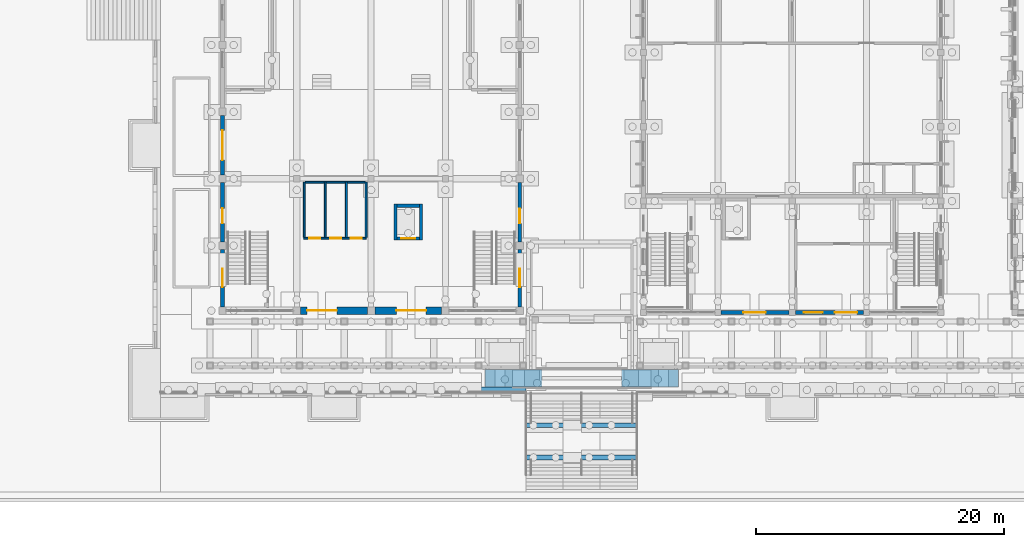
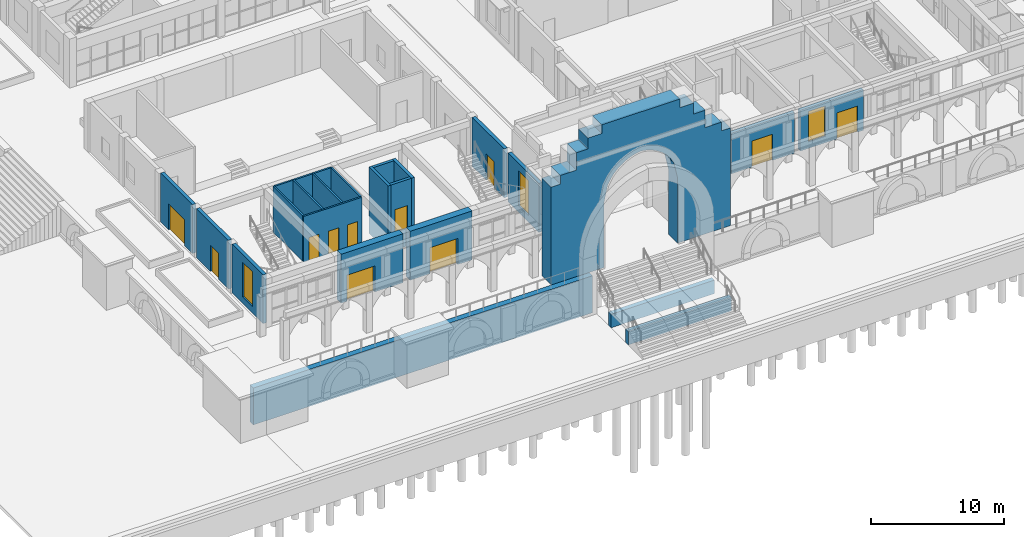
# One storey, part 53 of 161: 23 walls, 11 doors, 3 windows, 14 openings.
"""IFC4 building model written with IfcOpenShell, lengths in metres."""

from ifc_helpers import new_model, si_unit, direction, frame, frame_2d, origin, place, context, subcontext, project, spatial, polyline, rectangle, outline, extrude, material, layer, layer_set, material_profile, profile_set, type_object, element, fill, save


model = new_model("IFC4")

# Units and contexts
model_context = context("Model", 3, precision=1e-05, world=origin(), true_north=direction((0.0, 1.0)))
body_context = subcontext(model_context, "Body", "Model", "MODEL_VIEW")
ifc_project = project(units=[si_unit("LENGTHUNIT", "METRE"), si_unit("AREAUNIT", "SQUARE_METRE"), si_unit("VOLUMEUNIT", "CUBIC_METRE"), si_unit("PLANEANGLEUNIT", "RADIAN"), si_unit("MASSUNIT", "GRAM", prefix="KILO")], contexts=[model_context])

# Site, building, storey
site_placement = place(None, origin())
site = spatial("IfcSite", under=ifc_project, at=site_placement, CompositionType="ELEMENT")
building_placement = place(site_placement, origin())
building = spatial("IfcBuilding", under=site, at=building_placement, Name="Elbe Cascade School", CompositionType="ELEMENT")
storey_placement = place(building_placement, origin())
storey = spatial("IfcBuildingStorey", under=building, at=storey_placement, Name="L00", CompositionType="ELEMENT", Elevation=0.0)

# Wall, opening, window
ifc_material_1 = material(Name="Concrete C30/37", Category="concrete")
ifc_layer_1 = layer(ifc_material_1, 0.300048828125)
ifc_layer_set_1 = layer_set([ifc_layer_1], Name="Concrete C30/37")
wall_type_1 = type_object("IfcWallType", Name="Assembly hall RC wall 300", PredefinedType="SOLIDWALL", material=ifc_layer_set_1)
wall_1_placement = place(storey_placement, frame((5.0, 6.449951171875, 0.0), z_axis=(0.0, 0.0, 1.0), x_axis=(0.0, 1.0, 0.0)))
wall_1 = element("IfcWall", 1, at=wall_1_placement, inside=storey, type_object=wall_type_1, Name="Assembly hall RC wall 300 W5", PredefinedType="SOLIDWALL", context=body_context, shape_type="SweptSolid", body=[
    extrude(rectangle(XDim=4.650146484375, YDim=0.300048828125, at=frame_2d((2.3251953125, 0.0))), origin(), (0.0, 0.0, 1.0), 4.5),
])
opening_1_placement = place(wall_1_placement, frame((1.574951171875, 0.0, 0.60009765625)))
opening_1 = element("IfcOpeningElement", 2, at=opening_1_placement, cuts=wall_1, Name="Opening W0.137", PredefinedType="OPENING", context=body_context, shape_type="SweptSolid", body=[
    extrude(rectangle(XDim=1.5, YDim=3.199951171875, at=frame_2d((0.75, 1.60009765625))), frame((0.0, 0.159912109375, 0.0), z_axis=(0.0, -1.0, 0.0), x_axis=(1.0, 0.0, 0.0)), (0.0, 0.0, 1.0), 0.320068359375),
])
ifc_material_2 = material(Name="Aluminium - bronze anodised", Category="aluminium")
window_type_1 = type_object("IfcWindowType", Name="Assembly hall window 1500x3200 sill 600", PartitioningType="SINGLE_PANEL", PredefinedType="WINDOW", material=ifc_material_2)
window_1_placement = place(opening_1_placement, origin())
window_1 = element("IfcWindow", 3, at=window_1_placement, inside=storey, type_object=window_type_1, Name="Assembly hall window 1500x3200 sill 600 W0.137", OverallHeight=3.199951171875, OverallWidth=1.5, PartitioningType="SINGLE_PANEL", PredefinedType="WINDOW", context=body_context, shape_type="SweptSolid", body=[
    extrude(rectangle(XDim=1.5, YDim=3.199951171875, at=frame_2d((0.75, 1.60009765625))), frame((0.0, 0.030029296875, 0.0), z_axis=(0.0, -1.0, 0.0), x_axis=(1.0, 0.0, 0.0)), (0.0, 0.0, 1.0), 0.06005859375),
])
fill(opening_1, window_1)

# Wall, opening, door
wall_2_placement = place(storey_placement, frame((5.0, 11.699951171875, 0.0), z_axis=(0.0, 0.0, 1.0), x_axis=(0.0, 1.0, 0.0)))
wall_2 = element("IfcWall", 4, at=wall_2_placement, inside=storey, type_object=wall_type_1, Name="Assembly hall RC wall 300 W5", PredefinedType="SOLIDWALL", context=body_context, shape_type="SweptSolid", body=[
    extrude(rectangle(XDim=4.800048828125, YDim=0.300048828125, at=frame_2d((2.39990234375, 0.0))), origin(), (0.0, 0.0, 1.0), 4.5),
])
opening_2_placement = place(wall_2_placement, frame((1.5, 0.0, 0.0)))
opening_2 = element("IfcOpeningElement", 5, at=opening_2_placement, cuts=wall_2, Name="Opening D0.161", PredefinedType="OPENING", context=body_context, shape_type="SweptSolid", body=[
    extrude(rectangle(XDim=1.199951171875, YDim=2.39990234375, at=frame_2d((0.60009765625, 1.199951171875))), frame((0.0, 0.159912109375, 0.0), z_axis=(0.0, -1.0, 0.0), x_axis=(1.0, 0.0, 0.0)), (0.0, 0.0, 1.0), 0.320068359375),
])
ifc_material_3 = material(Name="Steel - fire door leaf", Category="steel")
door_type_1 = type_object("IfcDoorType", Name="Assembly hall stair exit door 1200x2400 swing FD30S", OperationType="NOTDEFINED", PredefinedType="NOTDEFINED", material=ifc_material_3)
door_1_placement = place(opening_2_placement, origin())
door_1 = element("IfcDoor", 6, at=door_1_placement, inside=storey, type_object=door_type_1, Name="Assembly hall stair exit door 1200x2400 swing FD30S D0.161", OperationType="SINGLE_SWING_RIGHT", OverallHeight=2.39990234375, OverallWidth=1.199951171875, PredefinedType="NOTDEFINED", context=body_context, shape_type="SweptSolid", body=[
    extrude(rectangle(XDim=1.199951171875, YDim=2.39990234375, at=frame_2d((0.60009765625, 1.199951171875))), frame((0.0, 0.02490234375, 0.0), z_axis=(0.0, -1.0, 0.0), x_axis=(1.0, 0.0, 0.0)), (0.0, 0.0, 1.0), 0.050048828125),
])
fill(opening_2, door_1)

wall_3_placement = place(storey_placement, frame((5.0, 17.10009765625, 0.0), z_axis=(0.0, 0.0, 1.0), x_axis=(0.0, 1.0, 0.0)))
wall_3 = element("IfcWall", 7, at=wall_3_placement, inside=storey, type_object=wall_type_1, Name="Assembly hall RC wall 300 W5", PredefinedType="SOLIDWALL", context=body_context, shape_type="SweptSolid", body=[
    extrude(rectangle(XDim=4.7998046875, YDim=0.300048828125, at=frame_2d((2.39990234375, 0.0))), origin(), (0.0, 0.0, 1.0), 4.5),
])
opening_3_placement = place(wall_3_placement, frame((1.199951171875, 0.0, 0.0)))
opening_3 = element("IfcOpeningElement", 8, at=opening_3_placement, cuts=wall_3, Name="Opening D0.163", PredefinedType="OPENING", context=body_context, shape_type="SweptSolid", body=[
    extrude(rectangle(XDim=2.39990234375, YDim=2.39990234375, at=frame_2d((1.199951171875, 1.199951171875))), frame((0.0, 0.159912109375, 0.0), z_axis=(0.0, -1.0, 0.0), x_axis=(1.0, 0.0, 0.0)), (0.0, 0.0, 1.0), 0.320068359375),
])
ifc_material_4 = material(Name="Timber - oak door leaf", Category="wood")
door_type_2 = type_object("IfcDoorType", Name="Assembly hall exit door 2400x2400 double NOT RATED", OperationType="DOUBLE_DOOR_SINGLE_SWING", PredefinedType="NOTDEFINED", material=ifc_material_4)
door_2_placement = place(opening_3_placement, origin())
door_2 = element("IfcDoor", 9, at=door_2_placement, inside=storey, type_object=door_type_2, Name="Assembly hall exit door 2400x2400 double NOT RATED D0.163", OperationType="DOUBLE_DOOR_SINGLE_SWING", OverallHeight=2.39990234375, OverallWidth=2.39990234375, PredefinedType="NOTDEFINED", context=body_context, shape_type="SweptSolid", body=[
    extrude(rectangle(XDim=2.39990234375, YDim=2.39990234375, at=frame_2d((1.199951171875, 1.199951171875))), frame((0.0, 0.02490234375, 0.0), z_axis=(0.0, -1.0, 0.0), x_axis=(1.0, 0.0, 0.0)), (0.0, 0.0, 1.0), 0.050048828125),
])
fill(opening_3, door_2)

# Wall, opening, window
wall_4_placement = place(storey_placement, frame((29.0, 11.10009765625, 0.0), z_axis=(0.0, 0.0, 1.0), x_axis=(0.0, -1.0, 0.0)))
wall_4 = element("IfcWall", 10, at=wall_4_placement, inside=storey, type_object=wall_type_1, Name="Assembly hall RC wall 300 W5", PredefinedType="SOLIDWALL", context=body_context, shape_type="SweptSolid", body=[
    extrude(rectangle(XDim=4.650146484375, YDim=0.300048828125, at=frame_2d((2.3251953125, 0.0))), origin(), (0.0, 0.0, 1.0), 4.5),
])
opening_4_placement = place(wall_4_placement, frame((1.574951171875, 0.0, 0.60009765625)))
opening_4 = element("IfcOpeningElement", 11, at=opening_4_placement, cuts=wall_4, Name="Opening W0.138", PredefinedType="OPENING", context=body_context, shape_type="SweptSolid", body=[
    extrude(rectangle(XDim=1.5, YDim=3.199951171875, at=frame_2d((0.75, 1.60009765625))), frame((0.0, 0.159912109375, 0.0), z_axis=(0.0, -1.0, 0.0), x_axis=(1.0, 0.0, 0.0)), (0.0, 0.0, 1.0), 0.320068359375),
])
window_2_placement = place(opening_4_placement, origin())
window_2 = element("IfcWindow", 12, at=window_2_placement, inside=storey, type_object=window_type_1, Name="Assembly hall window 1500x3200 sill 600 W0.138", OverallHeight=3.199951171875, OverallWidth=1.5, PartitioningType="SINGLE_PANEL", PredefinedType="WINDOW", context=body_context, shape_type="SweptSolid", body=[
    extrude(rectangle(XDim=1.5, YDim=3.199951171875, at=frame_2d((0.75, 1.60009765625))), frame((0.0, 0.030029296875, 0.0), z_axis=(0.0, -1.0, 0.0), x_axis=(1.0, 0.0, 0.0)), (0.0, 0.0, 1.0), 0.06005859375),
])
fill(opening_4, window_2)

# Wall, opening, door
wall_5_placement = place(storey_placement, frame((29.0, 16.5, 0.0), z_axis=(0.0, 0.0, 1.0), x_axis=(0.0, -1.0, 0.0)))
wall_5 = element("IfcWall", 13, at=wall_5_placement, inside=storey, type_object=wall_type_1, Name="Assembly hall RC wall 300 W5", PredefinedType="SOLIDWALL", context=body_context, shape_type="SweptSolid", body=[
    extrude(rectangle(XDim=4.800048828125, YDim=0.300048828125, at=frame_2d((2.39990234375, 0.0))), origin(), (0.0, 0.0, 1.0), 4.5),
])
opening_5_placement = place(wall_5_placement, frame((2.10009765625, 0.0, 0.0)))
opening_5 = element("IfcOpeningElement", 14, at=opening_5_placement, cuts=wall_5, Name="Opening D0.162", PredefinedType="OPENING", context=body_context, shape_type="SweptSolid", body=[
    extrude(rectangle(XDim=1.199951171875, YDim=2.39990234375, at=frame_2d((0.60009765625, 1.199951171875))), frame((0.0, 0.159912109375, 0.0), z_axis=(0.0, -1.0, 0.0), x_axis=(1.0, 0.0, 0.0)), (0.0, 0.0, 1.0), 0.320068359375),
])
door_3_placement = place(opening_5_placement, origin())
door_3 = element("IfcDoor", 15, at=door_3_placement, inside=storey, type_object=door_type_1, Name="Assembly hall stair exit door 1200x2400 swing FD30S D0.162", OperationType="SINGLE_SWING_LEFT", OverallHeight=2.39990234375, OverallWidth=1.199951171875, PredefinedType="NOTDEFINED", context=body_context, shape_type="SweptSolid", body=[
    extrude(rectangle(XDim=1.199951171875, YDim=2.39990234375, at=frame_2d((0.60009765625, 1.199951171875))), frame((0.0, 0.02490234375, 0.0), z_axis=(0.0, -1.0, 0.0), x_axis=(1.0, 0.0, 0.0)), (0.0, 0.0, 1.0), 0.050048828125),
])
fill(opening_5, door_3)

ifc_material_5 = material(Name="Concrete C30/37", Category="concrete")
ifc_layer_2 = layer(ifc_material_5, 0.60009765625)
ifc_layer_set_2 = layer_set([ifc_layer_2], Name="Concrete C30/37")
wall_type_2 = type_object("IfcWallType", Name="Assembly hall gable wall 600", PredefinedType="SOLIDWALL", material=ifc_layer_set_2)
wall_6_placement = place(storey_placement, frame((16.699951171875, 6.14990234375, 0.0), z_axis=(0.0, 0.0, 1.0), x_axis=(-1.0, 0.0, 0.0)))
wall_6 = element("IfcWall", 16, at=wall_6_placement, inside=storey, type_object=wall_type_2, Name="Assembly hall gable wall 600 W6", PredefinedType="SOLIDWALL", context=body_context, shape_type="SweptSolid", body=[
    extrude(rectangle(XDim=5.39990234375, YDim=0.60009765625, at=frame_2d((2.699951171875, 0.0))), origin(), (0.0, 0.0, 1.0), 4.5),
])
opening_6_placement = place(wall_6_placement, frame((2.473388671875, 0.0, 0.0)))
opening_6 = element("IfcOpeningElement", 17, at=opening_6_placement, cuts=wall_6, Name="Opening D0.155", PredefinedType="OPENING", context=body_context, shape_type="SweptSolid", body=[
    extrude(rectangle(XDim=2.39990234375, YDim=2.39990234375, at=frame_2d((1.199951171875, 1.199951171875))), frame((0.0, 0.31005859375, 0.0), z_axis=(0.0, -1.0, 0.0), x_axis=(1.0, 0.0, 0.0)), (0.0, 0.0, 1.0), 0.6201171875),
])
ifc_material_6 = material(Name="Timber - oak door leaf", Category="wood")
door_type_3 = type_object("IfcDoorType", Name="Assembly hall entrance door 2400x2400 double NOT RATED", OperationType="DOUBLE_DOOR_SINGLE_SWING", PredefinedType="NOTDEFINED", material=ifc_material_6)
door_4_placement = place(opening_6_placement, origin())
door_4 = element("IfcDoor", 18, at=door_4_placement, inside=storey, type_object=door_type_3, Name="Assembly hall entrance door 2400x2400 double NOT RATED D0.155", OperationType="DOUBLE_DOOR_SINGLE_SWING", OverallHeight=2.39990234375, OverallWidth=2.39990234375, PredefinedType="NOTDEFINED", context=body_context, shape_type="SweptSolid", body=[
    extrude(rectangle(XDim=2.39990234375, YDim=2.39990234375, at=frame_2d((1.199951171875, 1.199951171875))), frame((0.0, 0.02490234375, 0.0), z_axis=(0.0, -1.0, 0.0), x_axis=(1.0, 0.0, 0.0)), (0.0, 0.0, 1.0), 0.050048828125),
])
fill(opening_6, door_4)

wall_7_placement = place(storey_placement, frame((22.699951171875, 6.14990234375, 0.0), z_axis=(0.0, 0.0, 1.0), x_axis=(-1.0, 0.0, 0.0)))
wall_7 = element("IfcWall", 19, at=wall_7_placement, inside=storey, type_object=wall_type_2, Name="Assembly hall gable wall 600 W6", PredefinedType="SOLIDWALL", context=body_context, shape_type="SweptSolid", body=[
    extrude(rectangle(XDim=5.39990234375, YDim=0.60009765625, at=frame_2d((2.699951171875, 0.0))), origin(), (0.0, 0.0, 1.0), 4.5),
])
opening_7_placement = place(wall_7_placement, frame((1.251708984375, 0.0, 0.0)))
opening_7 = element("IfcOpeningElement", 20, at=opening_7_placement, cuts=wall_7, Name="Opening D0.156", PredefinedType="OPENING", context=body_context, shape_type="SweptSolid", body=[
    extrude(rectangle(XDim=2.39990234375, YDim=2.39990234375, at=frame_2d((1.199951171875, 1.199951171875))), frame((0.0, 0.31005859375, 0.0), z_axis=(0.0, -1.0, 0.0), x_axis=(1.0, 0.0, 0.0)), (0.0, 0.0, 1.0), 0.6201171875),
])
door_5_placement = place(opening_7_placement, origin())
door_5 = element("IfcDoor", 21, at=door_5_placement, inside=storey, type_object=door_type_3, Name="Assembly hall entrance door 2400x2400 double NOT RATED D0.156", OperationType="DOUBLE_DOOR_SINGLE_SWING", OverallHeight=2.39990234375, OverallWidth=2.39990234375, PredefinedType="NOTDEFINED", context=body_context, shape_type="SweptSolid", body=[
    extrude(rectangle(XDim=2.39990234375, YDim=2.39990234375, at=frame_2d((1.199951171875, 1.199951171875))), frame((0.0, 0.02490234375, 0.0), z_axis=(0.0, -1.0, 0.0), x_axis=(1.0, 0.0, 0.0)), (0.0, 0.0, 1.0), 0.050048828125),
])
fill(opening_7, door_5)

# Walls
ifc_material_7 = material(Name="Concrete C30/37", Category="concrete")
ifc_layer_3 = layer(ifc_material_7, 0.25)
ifc_layer_set_3 = layer_set([ifc_layer_3], Name="Concrete C30/37")
wall_type_3 = type_object("IfcWallType", Name="Assembly hall lift shaft wall 250", PredefinedType="SHEAR", material=ifc_layer_set_3)
for number, where, z_axis, x_axis, name in (
    (22, (18.97509765625, 11.85009765625, -1.60009765625), (0.0, 0.0, 1.0), (0.0, 1.0, 0.0), "Assembly hall lift shaft wall 250 W8"),
    (23, (21.02490234375, 11.85009765625, -1.60009765625), (0.0, 0.0, 1.0), (0.0, 1.0, 0.0), "Assembly hall lift shaft wall 250 W8"),
):
    element("IfcWall", number, at=place(storey_placement, frame(where, z_axis=z_axis, x_axis=x_axis)), inside=storey, type_object=wall_type_3, Name=name, PredefinedType="SHEAR", context=body_context, shape_type="SweptSolid", body=[
        extrude(rectangle(XDim=2.89990234375, YDim=0.25, at=frame_2d((1.449951171875, 0.0))), origin(), (0.0, 0.0, 1.0), 6.10009765625),
    ])

# Wall, opening, door
wall_8_placement = place(storey_placement, frame((19.10009765625, 11.97509765625, -1.60009765625), z_axis=(0.0, 0.0, 1.0), x_axis=(1.0, 0.0, 0.0)))
wall_8 = element("IfcWall", 24, at=wall_8_placement, inside=storey, type_object=wall_type_3, Name="Assembly hall lift shaft wall 250 W8", PredefinedType="SHEAR", context=body_context, shape_type="SweptSolid", body=[
    extrude(rectangle(XDim=1.7998046875, YDim=0.25, at=frame_2d((0.89990234375, 0.0))), origin(), (0.0, 0.0, 1.0), 6.10009765625),
])
opening_8_placement = place(wall_8_placement, frame((0.35009765625, 0.0, 1.60009765625)))
opening_8 = element("IfcOpeningElement", 25, at=opening_8_placement, cuts=wall_8, Name="Opening D0.157", PredefinedType="OPENING", context=body_context, shape_type="SweptSolid", body=[
    extrude(rectangle(XDim=1.10009765625, YDim=2.10009765625, at=frame_2d((0.550048828125, 1.050048828125))), frame((0.0, 0.135009765625, 0.0), z_axis=(0.0, -1.0, 0.0), x_axis=(1.0, 0.0, 0.0)), (0.0, 0.0, 1.0), 0.27001953125),
])
ifc_material_8 = material(Name="Steel - fire door leaf", Category="steel")
door_type_4 = type_object("IfcDoorType", Name="Assembly hall lift landing door 1100x2100 slide FD60", OperationType="SLIDING_TO_LEFT", PredefinedType="NOTDEFINED", material=ifc_material_8)
door_6_placement = place(opening_8_placement, origin())
door_6 = element("IfcDoor", 26, at=door_6_placement, inside=storey, type_object=door_type_4, Name="Assembly hall lift landing door 1100x2100 slide FD60 D0.157", OperationType="SLIDING_TO_LEFT", OverallHeight=2.10009765625, OverallWidth=1.10009765625, PredefinedType="NOTDEFINED", context=body_context, shape_type="SweptSolid", body=[
    extrude(rectangle(XDim=1.10009765625, YDim=2.10009765625, at=frame_2d((0.550048828125, 1.050048828125))), frame((0.0, 0.02490234375, 0.0), z_axis=(0.0, -1.0, 0.0), x_axis=(1.0, 0.0, 0.0)), (0.0, 0.0, 1.0), 0.050048828125),
])
fill(opening_8, door_6)

# Wall
wall_9_placement = place(storey_placement, frame((19.10009765625, 14.625, -1.60009765625), z_axis=(0.0, 0.0, 1.0), x_axis=(1.0, 0.0, 0.0)))
element("IfcWall", 27, at=wall_9_placement, inside=storey, type_object=wall_type_3, Name="Assembly hall lift shaft wall 250 W8", PredefinedType="SHEAR", context=body_context, shape_type="SweptSolid", body=[
    extrude(rectangle(XDim=1.7998046875, YDim=0.25, at=frame_2d((0.89990234375, 0.0))), origin(), (0.0, 0.0, 1.0), 6.10009765625),
])

# Wall, openings, doors
ifc_material_9 = material(Name="Masonry - rendered blockwork", Category="masonry")
ifc_layer_4 = layer(ifc_material_9, 0.14990234375)
ifc_layer_set_4 = layer_set([ifc_layer_4], Name="Masonry - rendered blockwork")
wall_type_4 = type_object("IfcWallType", Name="Assembly hall partition wall 150", PredefinedType="PARTITIONING", material=ifc_layer_set_4)
wall_10_placement = place(storey_placement, frame((11.550048828125, 12.0, 0.0), z_axis=(0.0, 0.0, 1.0), x_axis=(1.0, 0.0, 0.0)))
wall_10 = element("IfcWall", 28, at=wall_10_placement, inside=storey, type_object=wall_type_4, Name="Assembly hall partition wall 150 W38", PredefinedType="PARTITIONING", context=body_context, shape_type="SweptSolid", body=[
    extrude(rectangle(XDim=5.050048828125, YDim=0.14990234375, at=frame_2d((2.52490234375, 0.0))), origin(), (0.0, 0.0, 1.0), 4.199951171875),
])
opening_9_placement = place(wall_10_placement, frame((0.449951171875, 0.0, 0.0)))
opening_9 = element("IfcOpeningElement", 29, at=opening_9_placement, cuts=wall_10, Name="Opening D0.158", PredefinedType="OPENING", context=body_context, shape_type="SweptSolid", body=[
    extrude(rectangle(XDim=0.89990234375, YDim=2.10009765625, at=frame_2d((0.449951171875, 1.050048828125))), frame((0.0, 0.0849609375, 0.0), z_axis=(0.0, -1.0, 0.0), x_axis=(1.0, 0.0, 0.0)), (0.0, 0.0, 1.0), 0.169921875),
])
opening_10_placement = place(wall_10_placement, frame((2.14990234375, 0.0, 0.0)))
opening_10 = element("IfcOpeningElement", 30, at=opening_10_placement, cuts=wall_10, Name="Opening D0.159", PredefinedType="OPENING", context=body_context, shape_type="SweptSolid", body=[
    extrude(rectangle(XDim=0.89990234375, YDim=2.10009765625, at=frame_2d((0.449951171875, 1.050048828125))), frame((0.0, 0.0849609375, 0.0), z_axis=(0.0, -1.0, 0.0), x_axis=(1.0, 0.0, 0.0)), (0.0, 0.0, 1.0), 0.169921875),
])
opening_11_placement = place(wall_10_placement, frame((3.800048828125, 0.0, 0.0)))
opening_11 = element("IfcOpeningElement", 31, at=opening_11_placement, cuts=wall_10, Name="Opening D0.160", PredefinedType="OPENING", context=body_context, shape_type="SweptSolid", body=[
    extrude(rectangle(XDim=0.89990234375, YDim=2.10009765625, at=frame_2d((0.449951171875, 1.050048828125))), frame((0.0, 0.0849609375, 0.0), z_axis=(0.0, -1.0, 0.0), x_axis=(1.0, 0.0, 0.0)), (0.0, 0.0, 1.0), 0.169921875),
])
ifc_material_10 = material(Name="Timber - oak door leaf", Category="wood")
door_type_5 = type_object("IfcDoorType", Name="Assembly hall WC door 900x2100 swing NOT RATED", OperationType="NOTDEFINED", PredefinedType="NOTDEFINED", material=ifc_material_10)
door_7_placement = place(opening_9_placement, origin())
door_7 = element("IfcDoor", 32, at=door_7_placement, inside=storey, type_object=door_type_5, Name="Assembly hall WC door 900x2100 swing NOT RATED D0.158", OperationType="SINGLE_SWING_RIGHT", OverallHeight=2.10009765625, OverallWidth=0.89990234375, PredefinedType="NOTDEFINED", context=body_context, shape_type="SweptSolid", body=[
    extrude(rectangle(XDim=0.89990234375, YDim=2.10009765625, at=frame_2d((0.449951171875, 1.050048828125))), frame((0.0, 0.02490234375, 0.0), z_axis=(0.0, -1.0, 0.0), x_axis=(1.0, 0.0, 0.0)), (0.0, 0.0, 1.0), 0.050048828125),
])
fill(opening_9, door_7)
door_8_placement = place(opening_10_placement, origin())
door_8 = element("IfcDoor", 33, at=door_8_placement, inside=storey, type_object=door_type_5, Name="Assembly hall WC door 900x2100 swing NOT RATED D0.159", OperationType="SINGLE_SWING_LEFT", OverallHeight=2.10009765625, OverallWidth=0.89990234375, PredefinedType="NOTDEFINED", context=body_context, shape_type="SweptSolid", body=[
    extrude(rectangle(XDim=0.89990234375, YDim=2.10009765625, at=frame_2d((0.449951171875, 1.050048828125))), frame((0.0, 0.02490234375, 0.0), z_axis=(0.0, -1.0, 0.0), x_axis=(1.0, 0.0, 0.0)), (0.0, 0.0, 1.0), 0.050048828125),
])
fill(opening_10, door_8)
door_9_placement = place(opening_11_placement, origin())
door_9 = element("IfcDoor", 34, at=door_9_placement, inside=storey, type_object=door_type_5, Name="Assembly hall WC door 900x2100 swing NOT RATED D0.160", OperationType="SINGLE_SWING_RIGHT", OverallHeight=2.10009765625, OverallWidth=0.89990234375, PredefinedType="NOTDEFINED", context=body_context, shape_type="SweptSolid", body=[
    extrude(rectangle(XDim=0.89990234375, YDim=2.10009765625, at=frame_2d((0.449951171875, 1.050048828125))), frame((0.0, 0.02490234375, 0.0), z_axis=(0.0, -1.0, 0.0), x_axis=(1.0, 0.0, 0.0)), (0.0, 0.0, 1.0), 0.050048828125),
])
fill(opening_11, door_9)

# Walls
for number, where, z_axis, x_axis, name in (
    (35, (11.60009765625, 12.074951171875, 0.0), (0.0, 0.0, 1.0), (0.0, 1.0, 0.0), "Assembly hall partition wall 150 W38"),
    (36, (16.60009765625, 12.074951171875, 0.0), (0.0, 0.0, 1.0), (0.0, 1.0, 0.0), "Assembly hall partition wall 150 W38"),
):
    element("IfcWall", number, at=place(storey_placement, frame(where, z_axis=z_axis, x_axis=x_axis)), inside=storey, type_object=wall_type_4, Name=name, PredefinedType="PARTITIONING", context=body_context, shape_type="SweptSolid", body=[
        extrude(rectangle(XDim=4.449951171875, YDim=0.14990234375, at=frame_2d((2.22509765625, 0.0))), origin(), (0.0, 0.0, 1.0), 4.199951171875),
    ])
wall_11_placement = place(storey_placement, frame((11.675048828125, 16.52490234375, 0.0), z_axis=(0.0, 0.0, 1.0), x_axis=(1.0, 0.0, 0.0)))
element("IfcWall", 37, at=wall_11_placement, inside=storey, type_object=wall_type_4, Name="Assembly hall partition wall 150 W38", PredefinedType="PARTITIONING", context=body_context, shape_type="SweptSolid", body=[
    extrude(rectangle(XDim=4.849853515625, YDim=0.14990234375, at=frame_2d((2.4248046875, 0.0))), origin(), (0.0, 0.0, 1.0), 4.199951171875),
])
for number, where, z_axis, x_axis, name in (
    (38, (13.300048828125, 12.074951171875, 0.0), (0.0, 0.0, 1.0), (0.0, 1.0, 0.0), "Assembly hall partition wall 150 W38"),
    (39, (15.0, 12.074951171875, 0.0), (0.0, 0.0, 1.0), (0.0, 1.0, 0.0), "Assembly hall partition wall 150 W38"),
):
    element("IfcWall", number, at=place(storey_placement, frame(where, z_axis=z_axis, x_axis=x_axis)), inside=storey, type_object=wall_type_4, Name=name, PredefinedType="PARTITIONING", context=body_context, shape_type="SweptSolid", body=[
        extrude(rectangle(XDim=4.449951171875, YDim=0.14990234375, at=frame_2d((2.22509765625, 0.0))), origin(), (0.0, 0.0, 1.0), 4.199951171875),
    ])

# Wall, opening, door
ifc_material_11 = material(Name="Concrete C30/37", Category="concrete")
ifc_layer_5 = layer(ifc_material_11, 0.300048828125)
ifc_layer_set_5 = layer_set([ifc_layer_5], Name="Concrete C30/37")
wall_type_5 = type_object("IfcWallType", Name="Cafe wing RC wall 300", PredefinedType="SOLIDWALL", material=ifc_layer_set_5)
wall_12_placement = place(storey_placement, frame((50.75, 6.0, 0.0), z_axis=(0.0, 0.0, 1.0), x_axis=(-1.0, 0.0, 0.0)))
wall_12 = element("IfcWall", 40, at=wall_12_placement, inside=storey, type_object=wall_type_5, Name="Cafe wing RC wall 300 W10", PredefinedType="SOLIDWALL", context=body_context, shape_type="SweptSolid", body=[
    extrude(rectangle(XDim=5.5, YDim=0.300048828125, at=frame_2d((2.75, 0.0))), origin(), (0.0, 0.0, 1.0), 3.75),
])
opening_12_placement = place(wall_12_placement, frame((1.89990234375, 0.0, 0.0)))
opening_12 = element("IfcOpeningElement", 41, at=opening_12_placement, cuts=wall_12, Name="Opening D0.169", PredefinedType="OPENING", context=body_context, shape_type="SweptSolid", body=[
    extrude(rectangle(XDim=1.800048828125, YDim=2.39990234375, at=frame_2d((0.89990234375, 1.199951171875))), frame((0.0, 0.159912109375, 0.0), z_axis=(0.0, -1.0, 0.0), x_axis=(1.0, 0.0, 0.0)), (0.0, 0.0, 1.0), 0.320068359375),
])
ifc_material_12 = material(Name="Timber - oak door leaf", Category="wood")
door_type_6 = type_object("IfcDoorType", Name="Cafe entrance door 1800x2400 double NOT RATED", OperationType="DOUBLE_DOOR_SINGLE_SWING", PredefinedType="NOTDEFINED", material=ifc_material_12)
door_10_placement = place(opening_12_placement, origin())
door_10 = element("IfcDoor", 42, at=door_10_placement, inside=storey, type_object=door_type_6, Name="Cafe entrance door 1800x2400 double NOT RATED D0.169", OperationType="DOUBLE_DOOR_SINGLE_SWING", OverallHeight=2.39990234375, OverallWidth=1.800048828125, PredefinedType="NOTDEFINED", context=body_context, shape_type="SweptSolid", body=[
    extrude(rectangle(XDim=1.800048828125, YDim=2.39990234375, at=frame_2d((0.89990234375, 1.199951171875))), frame((0.0, 0.02490234375, 0.0), z_axis=(0.0, -1.0, 0.0), x_axis=(1.0, 0.0, 0.0)), (0.0, 0.0, 1.0), 0.050048828125),
])
fill(opening_12, door_10)

# Wall, openings, door, window
wall_13_placement = place(storey_placement, frame((56.75, 6.0, 0.0), z_axis=(0.0, 0.0, 1.0), x_axis=(-1.0, 0.0, 0.0)))
wall_13 = element("IfcWall", 43, at=wall_13_placement, inside=storey, type_object=wall_type_5, Name="Cafe wing RC wall 300 W10", PredefinedType="SOLIDWALL", context=body_context, shape_type="SweptSolid", body=[
    extrude(rectangle(XDim=5.5, YDim=0.300048828125, at=frame_2d((2.75, 0.0))), origin(), (0.0, 0.0, 1.0), 3.75),
])
opening_13_placement = place(wall_13_placement, frame((0.5, 0.0, 0.0)))
opening_13 = element("IfcOpeningElement", 44, at=opening_13_placement, cuts=wall_13, Name="Opening D0.170", PredefinedType="OPENING", context=body_context, shape_type="SweptSolid", body=[
    extrude(rectangle(XDim=1.800048828125, YDim=2.39990234375, at=frame_2d((0.89990234375, 1.199951171875))), frame((0.0, 0.159912109375, 0.0), z_axis=(0.0, -1.0, 0.0), x_axis=(1.0, 0.0, 0.0)), (0.0, 0.0, 1.0), 0.320068359375),
])
opening_14_placement = place(wall_13_placement, frame((3.300048828125, 0.0, 0.60009765625)))
opening_14 = element("IfcOpeningElement", 45, at=opening_14_placement, cuts=wall_13, Name="Opening W0.143", PredefinedType="OPENING", context=body_context, shape_type="SweptSolid", body=[
    extrude(rectangle(XDim=1.5, YDim=2.800048828125, at=frame_2d((0.75, 1.39990234375))), frame((0.0, 0.159912109375, 0.0), z_axis=(0.0, -1.0, 0.0), x_axis=(1.0, 0.0, 0.0)), (0.0, 0.0, 1.0), 0.320068359375),
])
door_11_placement = place(opening_13_placement, origin())
door_11 = element("IfcDoor", 46, at=door_11_placement, inside=storey, type_object=door_type_6, Name="Cafe entrance door 1800x2400 double NOT RATED D0.170", OperationType="DOUBLE_DOOR_SINGLE_SWING", OverallHeight=2.39990234375, OverallWidth=1.800048828125, PredefinedType="NOTDEFINED", context=body_context, shape_type="SweptSolid", body=[
    extrude(rectangle(XDim=1.800048828125, YDim=2.39990234375, at=frame_2d((0.89990234375, 1.199951171875))), frame((0.0, 0.02490234375, 0.0), z_axis=(0.0, -1.0, 0.0), x_axis=(1.0, 0.0, 0.0)), (0.0, 0.0, 1.0), 0.050048828125),
])
fill(opening_13, door_11)
ifc_material_13 = material(Name="Aluminium - bronze anodised", Category="aluminium")
window_type_2 = type_object("IfcWindowType", Name="Cafe wing window 1500x2800 sill 600", PartitioningType="SINGLE_PANEL", PredefinedType="WINDOW", material=ifc_material_13)
window_3_placement = place(opening_14_placement, origin())
window_3 = element("IfcWindow", 47, at=window_3_placement, inside=storey, type_object=window_type_2, Name="Cafe wing window 1500x2800 sill 600 W0.143", OverallHeight=2.800048828125, OverallWidth=1.5, PartitioningType="SINGLE_PANEL", PredefinedType="WINDOW", context=body_context, shape_type="SweptSolid", body=[
    extrude(rectangle(XDim=1.5, YDim=2.800048828125, at=frame_2d((0.75, 1.39990234375))), frame((0.0, 0.030029296875, 0.0), z_axis=(0.0, -1.0, 0.0), x_axis=(1.0, 0.0, 0.0)), (0.0, 0.0, 1.0), 0.06005859375),
])
fill(opening_14, window_3)

# Walls
ifc_material_14 = material(Name="Brick masonry - red clinker", Category="masonry")
ifc_material_profile = material_profile(ifc_material_14, outline(polyline([(-7.800048828125, 0.0), (-3.199951171875, 0.0), (-3.199951171875, 6.0), (-2.8798828125, 7.4892578125), (-2.56005859375, 8.056884765625), (-2.239990234375, 8.457275390625), (-1.919921875, 8.764404296875), (-1.60009765625, 9.006591796875), (-1.280029296875, 9.198974609375), (-0.9599609375, 9.35009765625), (-0.639892578125, 9.465087890625), (-0.320068359375, 9.547607421875), (0.0, 9.60009765625), (0.320068359375, 9.547607421875), (0.639892578125, 9.465087890625), (0.9599609375, 9.35009765625), (1.280029296875, 9.198974609375), (1.60009765625, 9.006591796875), (1.919921875, 8.764404296875), (2.239990234375, 8.457275390625), (2.56005859375, 8.056884765625), (2.8798828125, 7.4892578125), (3.199951171875, 6.0), (3.199951171875, 0.0), (7.800048828125, 0.0), (7.800048828125, 9.0), (7.0, 9.0), (7.0, 9.800048828125), (5.60009765625, 9.800048828125), (5.60009765625, 11.39990234375), (4.60009765625, 11.39990234375), (4.60009765625, 12.39990234375), (3.39990234375, 12.39990234375), (3.39990234375, 13.199951171875), (0.0, 13.199951171875), (-3.39990234375, 13.199951171875), (-3.39990234375, 12.39990234375), (-4.60009765625, 12.39990234375), (-4.60009765625, 11.39990234375), (-5.60009765625, 11.39990234375), (-5.60009765625, 9.800048828125), (-7.0, 9.800048828125), (-7.0, 9.0), (-7.800048828125, 9.0), (-7.800048828125, 0.0)])), Name="Portal face 15600 x 13200")
ifc_profile_set = profile_set([ifc_material_profile], Name="Brick masonry - red clinker")
wall_type_6 = type_object("IfcWallType", Name="Gate pishtaq portal wall 1400", PredefinedType="SOLIDWALL", material=ifc_profile_set)
wall_14_placement = place(storey_placement, frame((34.0, 0.0, 0.0), z_axis=(0.0, 1.0, 0.0), x_axis=(-1.0, 0.0, 0.0)))
element("IfcWall", 48, at=wall_14_placement, inside=storey, type_object=wall_type_6, Name="Pishtaq portal", PredefinedType="SOLIDWALL", context=body_context, shape_type="SweptSolid", body=[
    extrude(outline(polyline([(-7.800048828125, 0.0), (-3.199951171875, 0.0), (-3.199951171875, 6.0), (-2.8798828125, 7.4892578125), (-2.56005859375, 8.056884765625), (-2.239990234375, 8.457275390625), (-1.919921875, 8.764404296875), (-1.60009765625, 9.006591796875), (-1.280029296875, 9.198974609375), (-0.9599609375, 9.35009765625), (-0.639892578125, 9.465087890625), (-0.320068359375, 9.547607421875), (0.0, 9.60009765625), (0.320068359375, 9.547607421875), (0.639892578125, 9.465087890625), (0.9599609375, 9.35009765625), (1.280029296875, 9.198974609375), (1.60009765625, 9.006591796875), (1.919921875, 8.764404296875), (2.239990234375, 8.457275390625), (2.56005859375, 8.056884765625), (2.8798828125, 7.4892578125), (3.199951171875, 6.0), (3.199951171875, 0.0), (7.800048828125, 0.0), (7.800048828125, 9.0), (7.0, 9.0), (7.0, 9.800048828125), (5.60009765625, 9.800048828125), (5.60009765625, 11.39990234375), (4.60009765625, 11.39990234375), (4.60009765625, 12.39990234375), (3.39990234375, 12.39990234375), (3.39990234375, 13.199951171875), (0.0, 13.199951171875), (-3.39990234375, 13.199951171875), (-3.39990234375, 12.39990234375), (-4.60009765625, 12.39990234375), (-4.60009765625, 11.39990234375), (-5.60009765625, 11.39990234375), (-5.60009765625, 9.800048828125), (-7.0, 9.800048828125), (-7.0, 9.0), (-7.800048828125, 9.0), (-7.800048828125, 0.0)])), origin(), (0.0, 0.0, 1.0), 1.39990234375),
])
ifc_material_15 = material(Name="Concrete C35/45", Category="concrete")
ifc_layer_6 = layer(ifc_material_15, 0.5)
ifc_layer_set_6 = layer_set([ifc_layer_6], Name="Concrete C35/45")
wall_type_7 = type_object("IfcWallType", Name="Quay wall RC 500", PredefinedType="STANDARD", material=ifc_layer_set_6)
wall_15_placement = place(storey_placement, frame((0.0, -0.25, -3.39990234375), z_axis=(0.0, 0.0, 1.0), x_axis=(1.0, 0.0, 0.0)))
element("IfcWall", 49, at=wall_15_placement, inside=storey, type_object=wall_type_7, Name="Quay wall 1", PredefinedType="STANDARD", context=body_context, shape_type="SweptSolid", body=[
    extrude(rectangle(XDim=29.5, YDim=0.5, at=frame_2d((14.75, 0.0))), origin(), (0.0, 0.0, 1.0), 3.39990234375),
])
ifc_material_16 = material(Name="Concrete C30/37", Category="concrete")
ifc_layer_7 = layer(ifc_material_16, 0.39990234375)
ifc_layer_set_7 = layer_set([ifc_layer_7], Name="Concrete C30/37")
wall_type_8 = type_object("IfcWallType", Name="Retaining support wall RC 400", PredefinedType="SHEAR", material=ifc_layer_set_7)
for number, where, z_axis, x_axis, name in (
    (50, (29.5, -5.699951171875, -3.10009765625), (0.0, 0.0, 1.0), (1.0, 0.0, 0.0), "River steps landing wall south"),
    (51, (29.5, -3.10009765625, -3.10009765625), (0.0, 0.0, 1.0), (1.0, 0.0, 0.0), "River steps landing wall north"),
):
    element("IfcWall", number, at=place(storey_placement, frame(where, z_axis=z_axis, x_axis=x_axis)), inside=storey, type_object=wall_type_8, Name=name, PredefinedType="SHEAR", context=body_context, shape_type="SweptSolid", body=[
        extrude(rectangle(XDim=9.0, YDim=0.39990234375, at=frame_2d((4.5, 0.0))), origin(), (0.0, 0.0, 1.0), 1.25),
    ])

save(model, "model.ifc")
